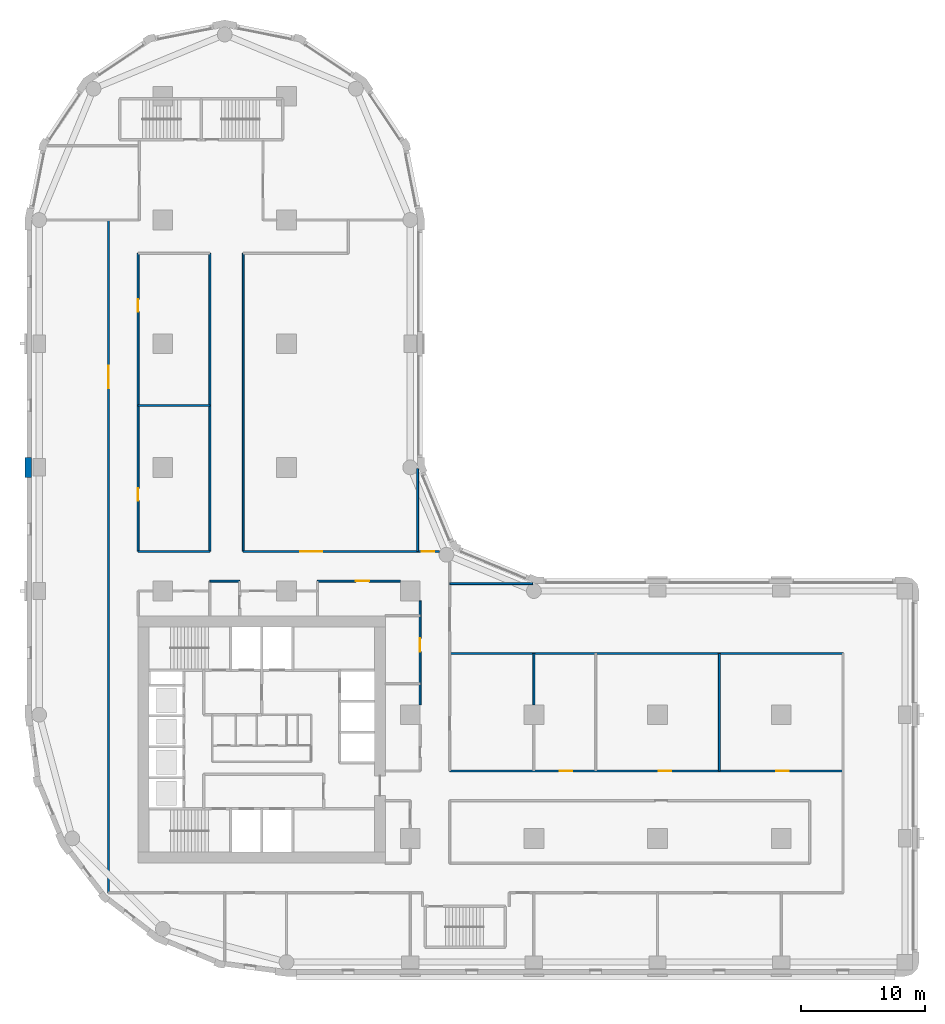
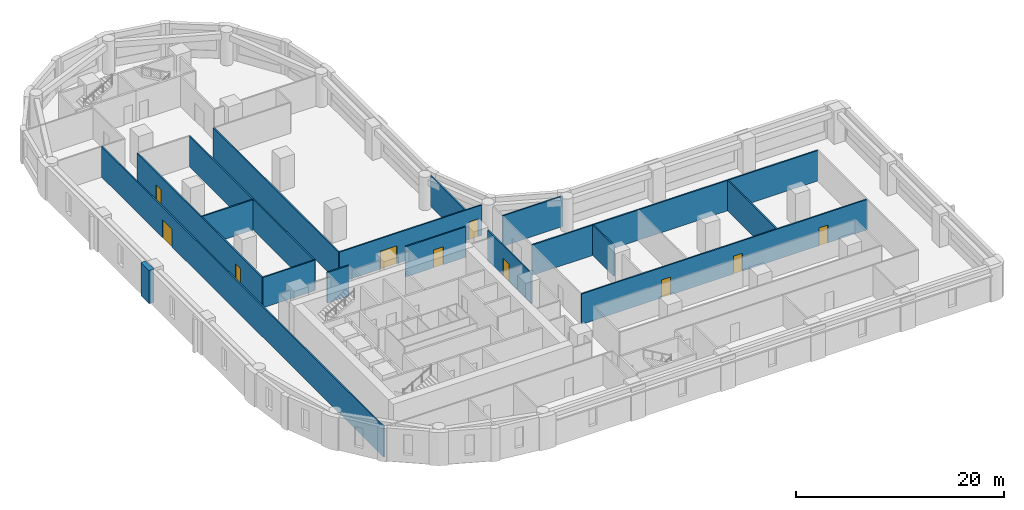
# One storey, part 5 of 11: 17 walls, 10 doors, 10 openings.
"""IFC4 building model written with IfcOpenShell, lengths in metres."""

from ifc_helpers import new_model, si_unit, direction, frame, frame_2d, origin, place, context, subcontext, project, spatial, polyline, rectangle, outline, extrude, material, layer, layer_set, type_object, element, fill, save


model = new_model("IFC4")

# Units and contexts
model_context = context("Model", 3, precision=1e-05, world=origin(), true_north=direction((0.0, 1.0)))
body_context = subcontext(model_context, "Body", "Model", "MODEL_VIEW")
ifc_project = project(units=[si_unit("LENGTHUNIT", "METRE"), si_unit("AREAUNIT", "SQUARE_METRE"), si_unit("VOLUMEUNIT", "CUBIC_METRE"), si_unit("PLANEANGLEUNIT", "RADIAN"), si_unit("MASSUNIT", "GRAM", prefix="KILO")], contexts=[model_context])

# Site, building, storey
site_placement = place(None, origin())
site = spatial("IfcSite", under=ifc_project, at=site_placement, CompositionType="ELEMENT")
building_placement = place(site_placement, origin())
building = spatial("IfcBuilding", under=site, at=building_placement, Name="Qaws Garden Tower", CompositionType="ELEMENT")
storey_placement = place(building_placement, frame((0.0, 0.0, 82.199951171875)))
storey = spatial("IfcBuildingStorey", under=building, at=storey_placement, Name="L20", CompositionType="ELEMENT", Elevation=82.199951171875)

# Wall
ifc_material_1 = material(Name="Buff clay facing brick masonry", Category="masonry")
ifc_layer_1 = layer(ifc_material_1, 0.550048828125)
ifc_layer_set_1 = layer_set([ifc_layer_1], Name="Buff clay facing brick masonry")
wall_type_1 = type_object("IfcWallType", Name="Buff brick pier 550 x 1600", PredefinedType="SOLIDWALL", material=ifc_layer_set_1)
wall_1_placement = place(storey_placement, origin())
element("IfcWall", 1, at=wall_1_placement, inside=storey, type_object=wall_type_1, Name="E-L20-pier-25", PredefinedType="SOLIDWALL", context=body_context, shape_type="SweptSolid", body=[
    extrude(outline(polyline([(-1.0, 40.800048828125), (-1.14990234375, 40.800048828125), (-1.14990234375, 40.0), (-1.14990234375, 39.199951171875), (-1.0, 39.199951171875), (-0.60009765625, 39.199951171875), (-0.60009765625, 40.0), (-0.60009765625, 40.800048828125), (-1.0, 40.800048828125)])), origin(), (0.0, 0.0, 1.0), 3.900146484375),
])

# Wall, opening, door
ifc_material_2 = material(Name="Gypsum board partition")
ifc_layer_2 = layer(ifc_material_2, 0.14990234375)
ifc_layer_set_2 = layer_set([ifc_layer_2], Name="Gypsum board partition")
wall_type_2 = type_object("IfcWallType", Name="PARTITION 150 EI 60", PredefinedType="PARTITIONING", material=ifc_layer_set_2)
wall_2_placement = place(storey_placement, frame((5.60009765625, 5.60009765625, 0.0), z_axis=(0.0, 0.0, 1.0), x_axis=(0.0, 1.0, 0.0)))
wall_2 = element("IfcWall", 2, at=wall_2_placement, inside=storey, type_object=wall_type_2, Name="O-L20-wall-001", PredefinedType="PARTITIONING", context=body_context, shape_type="SweptSolid", body=[
    extrude(rectangle(XDim=54.39990234375, YDim=0.14990234375, at=frame_2d((27.199951171875, 0.0))), origin(), (0.0, 0.0, 1.0), 3.580078125),
])
opening_1_placement = place(wall_2_placement, frame((40.800048828125, 0.0, 0.0)))
opening_1 = element("IfcOpeningElement", 3, at=opening_1_placement, cuts=wall_2, Name="Opening A701", PredefinedType="OPENING", context=body_context, shape_type="SweptSolid", body=[
    extrude(rectangle(XDim=1.800048828125, YDim=2.10009765625, at=frame_2d((0.89990234375, 1.050048828125))), frame((0.0, 0.0849609375, 0.0), z_axis=(0.0, -1.0, 0.0), x_axis=(1.0, 0.0, 0.0)), (0.0, 0.0, 1.0), 0.169921875),
])
ifc_material_3 = material(Name="Timber door leaf", Category="wood")
door_type_1 = type_object("IfcDoorType", Name="DOUBLE DOOR 1800 X 2100", OperationType="DOUBLE_DOOR_SINGLE_SWING", PredefinedType="DOOR", material=ifc_material_3)
door_1_placement = place(opening_1_placement, origin())
door_1 = element("IfcDoor", 4, at=door_1_placement, inside=storey, type_object=door_type_1, Name="O-L20-door-001", OperationType="DOUBLE_DOOR_SINGLE_SWING", OverallHeight=2.10009765625, OverallWidth=1.800048828125, PredefinedType="DOOR", context=body_context, shape_type="SweptSolid", body=[
    extrude(rectangle(XDim=1.800048828125, YDim=2.10009765625, at=frame_2d((0.89990234375, 1.050048828125))), frame((0.0, 0.02490234375, 0.0), z_axis=(0.0, -1.0, 0.0), x_axis=(1.0, 0.0, 0.0)), (0.0, 0.0, 1.0), 0.050048828125),
])
fill(opening_1, door_1)

# Wall, openings, doors
wall_3_placement = place(storey_placement, frame((8.0, 33.199951171875, 0.0), z_axis=(0.0, 0.0, 1.0), x_axis=(0.0, 1.0, 0.0)))
wall_3 = element("IfcWall", 5, at=wall_3_placement, inside=storey, type_object=wall_type_2, Name="O-L20-wall-003", PredefinedType="PARTITIONING", context=body_context, shape_type="SweptSolid", body=[
    extrude(rectangle(XDim=24.10009765625, YDim=0.14990234375, at=frame_2d((12.050048828125, 0.0))), origin(), (0.0, 0.0, 1.0), 3.580078125),
])
opening_2_placement = place(wall_3_placement, frame((4.10009765625, 0.0, 0.0)))
opening_2 = element("IfcOpeningElement", 6, at=opening_2_placement, cuts=wall_3, Name="Opening A712", PredefinedType="OPENING", context=body_context, shape_type="SweptSolid", body=[
    extrude(rectangle(XDim=1.0, YDim=2.10009765625, at=frame_2d((0.5, 1.050048828125))), frame((0.0, 0.0849609375, 0.0), z_axis=(0.0, -1.0, 0.0), x_axis=(1.0, 0.0, 0.0)), (0.0, 0.0, 1.0), 0.169921875),
])
opening_3_placement = place(wall_3_placement, frame((19.39990234375, 0.0, 0.0)))
opening_3 = element("IfcOpeningElement", 7, at=opening_3_placement, cuts=wall_3, Name="Opening A714", PredefinedType="OPENING", context=body_context, shape_type="SweptSolid", body=[
    extrude(rectangle(XDim=1.0, YDim=2.10009765625, at=frame_2d((0.5, 1.050048828125))), frame((0.0, 0.0849609375, 0.0), z_axis=(0.0, -1.0, 0.0), x_axis=(1.0, 0.0, 0.0)), (0.0, 0.0, 1.0), 0.169921875),
])
ifc_material_4 = material(Name="Timber door leaf", Category="wood")
door_type_2 = type_object("IfcDoorType", Name="TENANCY ENTRANCE DOOR 1000 X 2100", OperationType="SINGLE_SWING_LEFT", PredefinedType="DOOR", material=ifc_material_4)
door_2_placement = place(opening_2_placement, frame((1.0, 0.0, 0.0), z_axis=(0.0, 0.0, 1.0), x_axis=(-1.0, 0.0, 0.0)))
door_2 = element("IfcDoor", 8, at=door_2_placement, inside=storey, type_object=door_type_2, Name="O-L20-door-012", OperationType="SINGLE_SWING_RIGHT", OverallHeight=2.10009765625, OverallWidth=1.0, PredefinedType="DOOR", context=body_context, shape_type="SweptSolid", body=[
    extrude(rectangle(XDim=1.0, YDim=2.10009765625, at=frame_2d((0.5, 1.050048828125))), frame((0.0, 0.02490234375, 0.0), z_axis=(0.0, -1.0, 0.0), x_axis=(1.0, 0.0, 0.0)), (0.0, 0.0, 1.0), 0.050048828125),
])
fill(opening_2, door_2)
door_3_placement = place(opening_3_placement, frame((1.0, 0.0, 0.0), z_axis=(0.0, 0.0, 1.0), x_axis=(-1.0, 0.0, 0.0)))
door_3 = element("IfcDoor", 9, at=door_3_placement, inside=storey, type_object=door_type_2, Name="O-L20-door-014", OperationType="SINGLE_SWING_RIGHT", OverallHeight=2.10009765625, OverallWidth=1.0, PredefinedType="DOOR", context=body_context, shape_type="SweptSolid", body=[
    extrude(rectangle(XDim=1.0, YDim=2.10009765625, at=frame_2d((0.5, 1.050048828125))), frame((0.0, 0.02490234375, 0.0), z_axis=(0.0, -1.0, 0.0), x_axis=(1.0, 0.0, 0.0)), (0.0, 0.0, 1.0), 0.050048828125),
])
fill(opening_3, door_3)

# Walls
for number, where, z_axis, x_axis, name in (
    (10, (13.800048828125, 33.199951171875, 0.0), (0.0, 0.0, 1.0), (0.0, 1.0, 0.0), "O-L20-wall-006"),
    (11, (16.5, 33.199951171875, 0.0), (0.0, 0.0, 1.0), (0.0, 1.0, 0.0), "O-L20-wall-009"),
):
    element("IfcWall", number, at=place(storey_placement, frame(where, z_axis=z_axis, x_axis=x_axis)), inside=storey, type_object=wall_type_2, Name=name, PredefinedType="PARTITIONING", context=body_context, shape_type="SweptSolid", body=[
        extrude(rectangle(XDim=24.10009765625, YDim=0.14990234375, at=frame_2d((12.050048828125, 0.0))), origin(), (0.0, 0.0, 1.0), 3.580078125),
    ])
wall_4_placement = place(storey_placement, frame((30.60009765625, 33.199951171875, 0.0), z_axis=(0.0, 0.0, 1.0), x_axis=(0.0, 1.0, 0.0)))
element("IfcWall", 12, at=wall_4_placement, inside=storey, type_object=wall_type_2, Name="O-L20-wall-017", PredefinedType="PARTITIONING", context=body_context, shape_type="SweptSolid", body=[
    extrude(rectangle(XDim=6.698974609375, YDim=0.14990234375, at=frame_2d((3.349609375, 0.0))), origin(), (0.0, 0.0, 1.0), 3.580078125),
])

# Wall, opening, door
wall_5_placement = place(storey_placement, frame((30.800048828125, 20.800048828125, 0.0), z_axis=(0.0, 0.0, 1.0), x_axis=(0.0, 1.0, 0.0)))
wall_5 = element("IfcWall", 13, at=wall_5_placement, inside=storey, type_object=wall_type_2, Name="O-L20-wall-019", PredefinedType="PARTITIONING", context=body_context, shape_type="SweptSolid", body=[
    extrude(rectangle(XDim=8.39990234375, YDim=0.14990234375, at=frame_2d((4.199951171875, 0.0))), origin(), (0.0, 0.0, 1.0), 3.580078125),
])
opening_4_placement = place(wall_5_placement, frame((4.300048828125, 0.0, 0.0)))
opening_4 = element("IfcOpeningElement", 14, at=opening_4_placement, cuts=wall_5, Name="Opening A708", PredefinedType="OPENING", context=body_context, shape_type="SweptSolid", body=[
    extrude(rectangle(XDim=1.10009765625, YDim=2.10009765625, at=frame_2d((0.550048828125, 1.050048828125))), frame((0.0, 0.0849609375, 0.0), z_axis=(0.0, -1.0, 0.0), x_axis=(1.0, 0.0, 0.0)), (0.0, 0.0, 1.0), 0.169921875),
])
ifc_material_5 = material(Name="Timber door leaf", Category="wood")
door_type_3 = type_object("IfcDoorType", Name="SERVICE ROOM DOOR 1100 X 2100", OperationType="SINGLE_SWING_LEFT", PredefinedType="DOOR", material=ifc_material_5)
door_4_placement = place(opening_4_placement, origin())
door_4 = element("IfcDoor", 15, at=door_4_placement, inside=storey, type_object=door_type_3, Name="O-L20-door-008", OperationType="SINGLE_SWING_RIGHT", OverallHeight=2.10009765625, OverallWidth=1.10009765625, PredefinedType="DOOR", context=body_context, shape_type="SweptSolid", body=[
    extrude(rectangle(XDim=1.10009765625, YDim=2.10009765625, at=frame_2d((0.550048828125, 1.050048828125))), frame((0.0, 0.02490234375, 0.0), z_axis=(0.0, -1.0, 0.0), x_axis=(1.0, 0.0, 0.0)), (0.0, 0.0, 1.0), 0.050048828125),
])
fill(opening_4, door_4)

# Walls
wall_6_placement = place(storey_placement, frame((40.0, 20.800048828125, 0.0), z_axis=(0.0, 0.0, 1.0), x_axis=(0.0, 1.0, 0.0)))
element("IfcWall", 16, at=wall_6_placement, inside=storey, type_object=wall_type_2, Name="O-L20-wall-026", PredefinedType="PARTITIONING", context=body_context, shape_type="SweptSolid", body=[
    extrude(rectangle(XDim=4.14990234375, YDim=0.14990234375, at=frame_2d((2.074951171875, 0.0))), origin(), (0.0, 0.0, 1.0), 3.580078125),
])
wall_7_placement = place(storey_placement, frame((55.0, 15.449951171875, 0.0), z_axis=(0.0, 0.0, 1.0), x_axis=(0.0, 1.0, 0.0)))
element("IfcWall", 17, at=wall_7_placement, inside=storey, type_object=wall_type_2, Name="O-L20-wall-029", PredefinedType="PARTITIONING", context=body_context, shape_type="SweptSolid", body=[
    extrude(rectangle(XDim=9.5, YDim=0.14990234375, at=frame_2d((4.75, 0.0))), origin(), (0.0, 0.0, 1.0), 3.580078125),
])

# Wall, openings, doors
wall_8_placement = place(storey_placement, frame((33.199951171875, 15.449951171875, 0.0), z_axis=(0.0, 0.0, 1.0), x_axis=(1.0, 0.0, 0.0)))
wall_8 = element("IfcWall", 18, at=wall_8_placement, inside=storey, type_object=wall_type_2, Name="O-L20-wall-040", PredefinedType="PARTITIONING", context=body_context, shape_type="SweptSolid", body=[
    extrude(rectangle(XDim=31.800048828125, YDim=0.14990234375, at=frame_2d((15.89990234375, 0.0))), origin(), (0.0, 0.0, 1.0), 3.580078125),
])
opening_5_placement = place(wall_8_placement, frame((16.89990234375, 0.0, 0.0)))
opening_5 = element("IfcOpeningElement", 19, at=opening_5_placement, cuts=wall_8, Name="Opening A703", PredefinedType="OPENING", context=body_context, shape_type="SweptSolid", body=[
    extrude(rectangle(XDim=1.0, YDim=2.10009765625, at=frame_2d((0.5, 1.050048828125))), frame((0.0, 0.0849609375, 0.0), z_axis=(0.0, -1.0, 0.0), x_axis=(1.0, 0.0, 0.0)), (0.0, 0.0, 1.0), 0.169921875),
])
opening_6_placement = place(wall_8_placement, frame((26.39990234375, 0.0, 0.0)))
opening_6 = element("IfcOpeningElement", 20, at=opening_6_placement, cuts=wall_8, Name="Opening A704", PredefinedType="OPENING", context=body_context, shape_type="SweptSolid", body=[
    extrude(rectangle(XDim=1.0, YDim=2.10009765625, at=frame_2d((0.5, 1.050048828125))), frame((0.0, 0.0849609375, 0.0), z_axis=(0.0, -1.0, 0.0), x_axis=(1.0, 0.0, 0.0)), (0.0, 0.0, 1.0), 0.169921875),
])
opening_7_placement = place(wall_8_placement, frame((8.89990234375, 0.0, 0.0)))
opening_7 = element("IfcOpeningElement", 21, at=opening_7_placement, cuts=wall_8, Name="Opening A725", PredefinedType="OPENING", context=body_context, shape_type="SweptSolid", body=[
    extrude(rectangle(XDim=1.0, YDim=2.10009765625, at=frame_2d((0.5, 1.050048828125))), frame((0.0, 0.0849609375, 0.0), z_axis=(0.0, -1.0, 0.0), x_axis=(1.0, 0.0, 0.0)), (0.0, 0.0, 1.0), 0.169921875),
])
door_5_placement = place(opening_5_placement, origin())
door_5 = element("IfcDoor", 22, at=door_5_placement, inside=storey, type_object=door_type_2, Name="O-L20-door-003", OperationType="SINGLE_SWING_LEFT", OverallHeight=2.10009765625, OverallWidth=1.0, PredefinedType="DOOR", context=body_context, shape_type="SweptSolid", body=[
    extrude(rectangle(XDim=1.0, YDim=2.10009765625, at=frame_2d((0.5, 1.050048828125))), frame((0.0, 0.02490234375, 0.0), z_axis=(0.0, -1.0, 0.0), x_axis=(1.0, 0.0, 0.0)), (0.0, 0.0, 1.0), 0.050048828125),
])
fill(opening_5, door_5)
door_6_placement = place(opening_6_placement, origin())
door_6 = element("IfcDoor", 23, at=door_6_placement, inside=storey, type_object=door_type_2, Name="O-L20-door-004", OperationType="SINGLE_SWING_LEFT", OverallHeight=2.10009765625, OverallWidth=1.0, PredefinedType="DOOR", context=body_context, shape_type="SweptSolid", body=[
    extrude(rectangle(XDim=1.0, YDim=2.10009765625, at=frame_2d((0.5, 1.050048828125))), frame((0.0, 0.02490234375, 0.0), z_axis=(0.0, -1.0, 0.0), x_axis=(1.0, 0.0, 0.0)), (0.0, 0.0, 1.0), 0.050048828125),
])
fill(opening_6, door_6)
door_7_placement = place(opening_7_placement, origin())
door_7 = element("IfcDoor", 24, at=door_7_placement, inside=storey, type_object=door_type_2, Name="O-L20-door-025", OperationType="SINGLE_SWING_LEFT", OverallHeight=2.10009765625, OverallWidth=1.0, PredefinedType="DOOR", context=body_context, shape_type="SweptSolid", body=[
    extrude(rectangle(XDim=1.0, YDim=2.10009765625, at=frame_2d((0.5, 1.050048828125))), frame((0.0, 0.02490234375, 0.0), z_axis=(0.0, -1.0, 0.0), x_axis=(1.0, 0.0, 0.0)), (0.0, 0.0, 1.0), 0.050048828125),
])
fill(opening_7, door_7)

# Walls
wall_9_placement = place(storey_placement, frame((33.199951171875, 24.949951171875, 0.0), z_axis=(0.0, 0.0, 1.0), x_axis=(1.0, 0.0, 0.0)))
element("IfcWall", 25, at=wall_9_placement, inside=storey, type_object=wall_type_2, Name="O-L20-wall-042", PredefinedType="PARTITIONING", context=body_context, shape_type="SweptSolid", body=[
    extrude(rectangle(XDim=31.800048828125, YDim=0.14990234375, at=frame_2d((15.89990234375, 0.0))), origin(), (0.0, 0.0, 1.0), 3.580078125),
])
wall_10_placement = place(storey_placement, frame((33.199951171875, 30.60009765625, 0.0), z_axis=(0.0, 0.0, 1.0), x_axis=(1.0, 0.0, 0.0)))
element("IfcWall", 26, at=wall_10_placement, inside=storey, type_object=wall_type_2, Name="O-L20-wall-048", PredefinedType="PARTITIONING", context=body_context, shape_type="SweptSolid", body=[
    extrude(rectangle(XDim=6.698974609375, YDim=0.14990234375, at=frame_2d((3.349609375, 0.0))), origin(), (0.0, 0.0, 1.0), 3.580078125),
])
wall_11_placement = place(storey_placement, frame((13.800048828125, 30.800048828125, 0.0), z_axis=(0.0, 0.0, 1.0), x_axis=(1.0, 0.0, 0.0)))
element("IfcWall", 27, at=wall_11_placement, inside=storey, type_object=wall_type_2, Name="O-L20-wall-049", PredefinedType="PARTITIONING", context=body_context, shape_type="SweptSolid", body=[
    extrude(rectangle(XDim=2.39990234375, YDim=0.14990234375, at=frame_2d((1.199951171875, 0.0))), origin(), (0.0, 0.0, 1.0), 3.580078125),
])

# Wall, opening, door
wall_12_placement = place(storey_placement, frame((22.5, 30.800048828125, 0.0), z_axis=(0.0, 0.0, 1.0), x_axis=(1.0, 0.0, 0.0)))
wall_12 = element("IfcWall", 28, at=wall_12_placement, inside=storey, type_object=wall_type_2, Name="O-L20-wall-050", PredefinedType="PARTITIONING", context=body_context, shape_type="SweptSolid", body=[
    extrude(rectangle(XDim=6.699951171875, YDim=0.14990234375, at=frame_2d((3.35009765625, 0.0))), origin(), (0.0, 0.0, 1.0), 3.580078125),
])
opening_8_placement = place(wall_12_placement, frame((3.10009765625, 0.0, 0.0)))
opening_8 = element("IfcOpeningElement", 29, at=opening_8_placement, cuts=wall_12, Name="Opening A711", PredefinedType="OPENING", context=body_context, shape_type="SweptSolid", body=[
    extrude(rectangle(XDim=1.10009765625, YDim=2.10009765625, at=frame_2d((0.550048828125, 1.050048828125))), frame((0.0, 0.0849609375, 0.0), z_axis=(0.0, -1.0, 0.0), x_axis=(1.0, 0.0, 0.0)), (0.0, 0.0, 1.0), 0.169921875),
])
door_8_placement = place(opening_8_placement, frame((1.10009765625, 0.0, 0.0), z_axis=(0.0, 0.0, 1.0), x_axis=(-1.0, 0.0, 0.0)))
door_8 = element("IfcDoor", 30, at=door_8_placement, inside=storey, type_object=door_type_3, Name="O-L20-door-011", OperationType="SINGLE_SWING_LEFT", OverallHeight=2.10009765625, OverallWidth=1.10009765625, PredefinedType="DOOR", context=body_context, shape_type="SweptSolid", body=[
    extrude(rectangle(XDim=1.10009765625, YDim=2.10009765625, at=frame_2d((0.550048828125, 1.050048828125))), frame((0.0, 0.02490234375, 0.0), z_axis=(0.0, -1.0, 0.0), x_axis=(1.0, 0.0, 0.0)), (0.0, 0.0, 1.0), 0.050048828125),
])
fill(opening_8, door_8)

# Wall
wall_13_placement = place(storey_placement, frame((8.0, 33.199951171875, 0.0), z_axis=(0.0, 0.0, 1.0), x_axis=(1.0, 0.0, 0.0)))
element("IfcWall", 31, at=wall_13_placement, inside=storey, type_object=wall_type_2, Name="O-L20-wall-051", PredefinedType="PARTITIONING", context=body_context, shape_type="SweptSolid", body=[
    extrude(rectangle(XDim=5.800048828125, YDim=0.14990234375, at=frame_2d((2.89990234375, 0.0))), origin(), (0.0, 0.0, 1.0), 3.580078125),
])

# Wall, openings, doors
wall_14_placement = place(storey_placement, frame((16.5, 33.199951171875, 0.0), z_axis=(0.0, 0.0, 1.0), x_axis=(1.0, 0.0, 0.0)))
wall_14 = element("IfcWall", 32, at=wall_14_placement, inside=storey, type_object=wall_type_2, Name="O-L20-wall-052", PredefinedType="PARTITIONING", context=body_context, shape_type="SweptSolid", body=[
    extrude(rectangle(XDim=15.862060546875, YDim=0.14990234375, at=frame_2d((7.93115234375, 0.0))), origin(), (0.0, 0.0, 1.0), 3.580078125),
])
opening_9_placement = place(wall_14_placement, frame((4.60009765625, 0.0, 0.0)))
opening_9 = element("IfcOpeningElement", 33, at=opening_9_placement, cuts=wall_14, Name="Opening A715", PredefinedType="OPENING", context=body_context, shape_type="SweptSolid", body=[
    extrude(rectangle(XDim=1.800048828125, YDim=2.10009765625, at=frame_2d((0.89990234375, 1.050048828125))), frame((0.0, 0.0849609375, 0.0), z_axis=(0.0, -1.0, 0.0), x_axis=(1.0, 0.0, 0.0)), (0.0, 0.0, 1.0), 0.169921875),
])
opening_10_placement = place(wall_14_placement, frame((14.449951171875, 0.0, 0.0)))
opening_10 = element("IfcOpeningElement", 34, at=opening_10_placement, cuts=wall_14, Name="Opening A718", PredefinedType="OPENING", context=body_context, shape_type="SweptSolid", body=[
    extrude(rectangle(XDim=1.0, YDim=2.10009765625, at=frame_2d((0.5, 1.050048828125))), frame((0.0, 0.0849609375, 0.0), z_axis=(0.0, -1.0, 0.0), x_axis=(1.0, 0.0, 0.0)), (0.0, 0.0, 1.0), 0.169921875),
])
door_9_placement = place(opening_9_placement, origin())
door_9 = element("IfcDoor", 35, at=door_9_placement, inside=storey, type_object=door_type_1, Name="O-L20-door-015", OperationType="DOUBLE_DOOR_SINGLE_SWING", OverallHeight=2.10009765625, OverallWidth=1.800048828125, PredefinedType="DOOR", context=body_context, shape_type="SweptSolid", body=[
    extrude(rectangle(XDim=1.800048828125, YDim=2.10009765625, at=frame_2d((0.89990234375, 1.050048828125))), frame((0.0, 0.02490234375, 0.0), z_axis=(0.0, -1.0, 0.0), x_axis=(1.0, 0.0, 0.0)), (0.0, 0.0, 1.0), 0.050048828125),
])
fill(opening_9, door_9)
door_10_placement = place(opening_10_placement, origin())
door_10 = element("IfcDoor", 36, at=door_10_placement, inside=storey, type_object=door_type_2, Name="O-L20-door-018", OperationType="SINGLE_SWING_LEFT", OverallHeight=2.10009765625, OverallWidth=1.0, PredefinedType="DOOR", context=body_context, shape_type="SweptSolid", body=[
    extrude(rectangle(XDim=1.0, YDim=2.10009765625, at=frame_2d((0.5, 1.050048828125))), frame((0.0, 0.02490234375, 0.0), z_axis=(0.0, -1.0, 0.0), x_axis=(1.0, 0.0, 0.0)), (0.0, 0.0, 1.0), 0.050048828125),
])
fill(opening_10, door_10)

# Wall
wall_15_placement = place(storey_placement, frame((8.0, 45.0, 0.0), z_axis=(0.0, 0.0, 1.0), x_axis=(1.0, 0.0, 0.0)))
element("IfcWall", 37, at=wall_15_placement, inside=storey, type_object=wall_type_2, Name="O-L20-wall-053", PredefinedType="PARTITIONING", context=body_context, shape_type="SweptSolid", body=[
    extrude(rectangle(XDim=5.800048828125, YDim=0.14990234375, at=frame_2d((2.89990234375, 0.0))), origin(), (0.0, 0.0, 1.0), 3.580078125),
])

save(model, "model.ifc")
